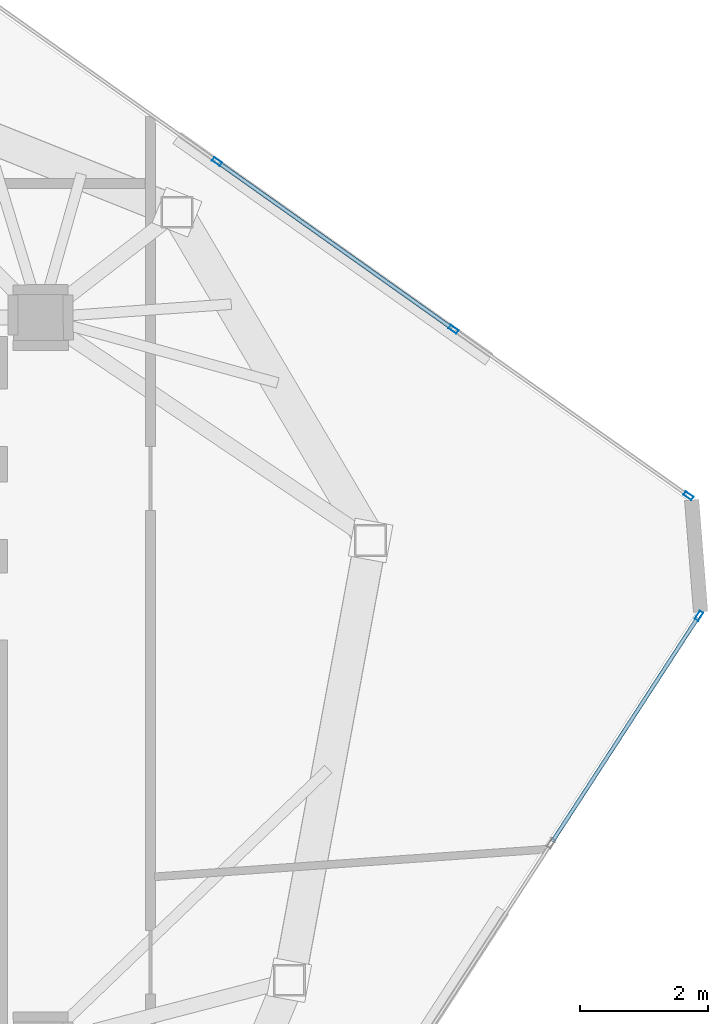
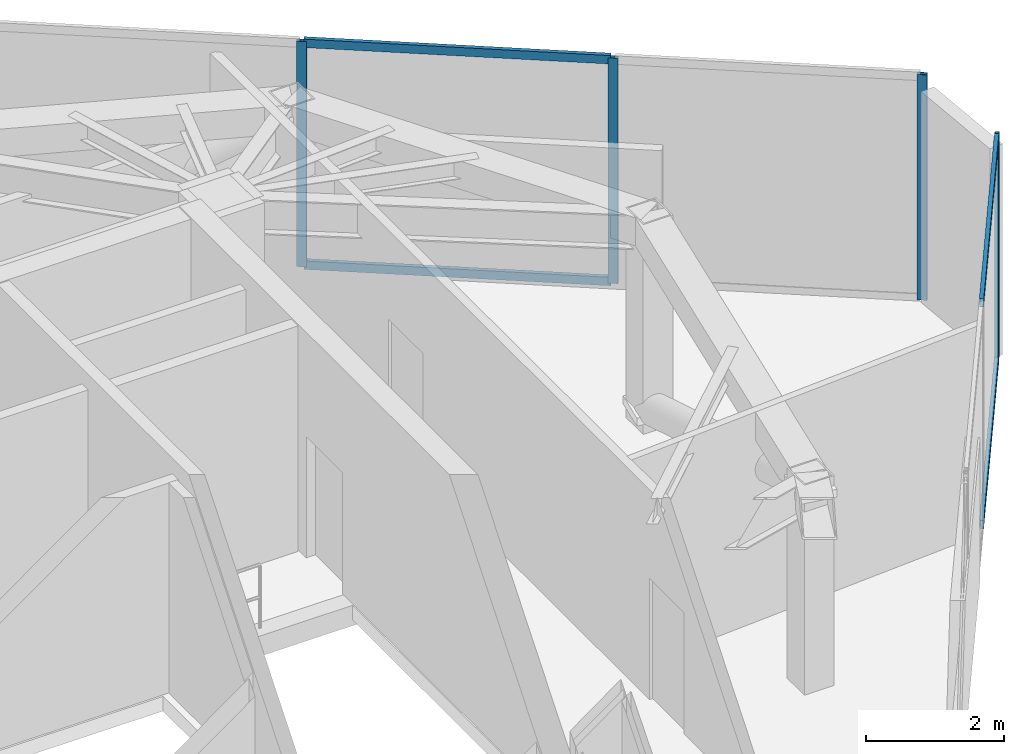
# One storey, part 16 of 20: 8 members, 2 elements without a shape of their own.
"""IFC4 building model written with IfcOpenShell, lengths in metres."""

from ifc_helpers import new_model, si_unit, direction, frame, origin, origin_2d, place, context, subcontext, project, spatial, hollow_rectangle, extrude, source, transform, mapped, material, layer, layer_set, material_profile, profile_set, type_object, type_shapes, element, aggregate, save


model = new_model("IFC4")

# Units and contexts
model_context = context("Model", 3, precision=1e-05, world=origin(), true_north=direction((0.0, 1.0)))
body_context = subcontext(model_context, "Body", "Model", "MODEL_VIEW")
ifc_project = project(units=[si_unit("LENGTHUNIT", "METRE"), si_unit("AREAUNIT", "SQUARE_METRE"), si_unit("VOLUMEUNIT", "CUBIC_METRE"), si_unit("PLANEANGLEUNIT", "RADIAN"), si_unit("MASSUNIT", "GRAM", prefix="KILO")], contexts=[model_context])

# Site, building, storey
site_placement = place(None, origin())
site = spatial("IfcSite", under=ifc_project, at=site_placement, CompositionType="ELEMENT")
building_placement = place(site_placement, origin())
building = spatial("IfcBuilding", under=site, at=building_placement, Name="Talar Marvaseh", CompositionType="ELEMENT")
storey_placement = place(building_placement, frame((0.0, 0.0, 312.0)))
storey = spatial("IfcBuildingStorey", under=building, at=storey_placement, Name="L83", CompositionType="ELEMENT", Elevation=312.0)

# Curtain wall, members
ifc_material = material(Name="Architectural Aluminium", Category="aluminium")
ifc_layer = layer(ifc_material, 0.2099609375)
ifc_layer_set = layer_set([ifc_layer], Name="Architectural Aluminium")
curtain_wall_type = type_object("IfcCurtainWallType", Name="Crown Plant Acoustic Spandrel Curtain Wall", PredefinedType="NOTDEFINED", material=ifc_layer_set)
curtain_wall_1_placement = place(storey_placement, origin())
curtain_wall_1 = element("IfcCurtainWall", 1, at=curtain_wall_1_placement, inside=storey, type_object=curtain_wall_type, Name="L83 Crown Plant Acoustic Spandrel Curtain Wall", PredefinedType="NOTDEFINED")
ifc_material_profile_1 = material_profile(ifc_material, hollow_rectangle(XDim=0.06494140625, YDim=0.14990234375, WallThickness=0.00390625, at=origin_2d()), Name="RHS150x65x4")
ifc_profile_set_1 = profile_set([ifc_material_profile_1], Name="Architectural Aluminium")
member_type_1 = type_object("IfcMemberType", Name="Unitised Curtain Wall Slim Transom RHS150x65x4", PredefinedType="USERDEFINED", material=ifc_profile_set_1)
shared_shape_1 = source(origin(), body_context, "Body", "SweptSolid", [
    extrude(hollow_rectangle(XDim=0.06494140625, YDim=0.14990234375, WallThickness=0.00390625, at=origin_2d()), origin(), (0.0, 0.0, 1.0), 4.47998046875),
])
member_1_placement = place(storey_placement, frame((36.09130859375, 39.32568359375, 0.032470703125), z_axis=(0.815654806613, -0.578538880671, 0.0), x_axis=(0.578538880671, 0.815654806613, 0.0)))
member_1 = element("IfcMember", 2, at=member_1_placement, type_object=member_type_1, Name="CW-CRN transom 2.1", ObjectType="TRANSOM", PredefinedType="USERDEFINED", context=body_context, shape_type="MappedRepresentation", body=[
    mapped(shared_shape_1, transform((0.0, 0.0, 0.0), x_axis=(1.0, 0.0, 0.0), y_axis=(0.0, 1.0, 0.0), z_axis=(0.0, 0.0, 1.0), scale=1.0)),
])
member_2_placement = place(storey_placement, frame((36.09130859375, 39.32568359375, 3.967529296875), z_axis=(0.815654806613, -0.578538880671, 0.0), x_axis=(0.578538880671, 0.815654806613, 0.0)))
member_2 = element("IfcMember", 3, at=member_2_placement, type_object=member_type_1, Name="CW-CRN transom 2.2", ObjectType="TRANSOM", PredefinedType="USERDEFINED", context=body_context, shape_type="MappedRepresentation", body=[
    mapped(shared_shape_1, transform((0.0, 0.0, 0.0), x_axis=(1.0, 0.0, 0.0), y_axis=(0.0, 1.0, 0.0), z_axis=(0.0, 0.0, 1.0), scale=1.0)),
])

curtain_wall_2_placement = place(storey_placement, origin())
curtain_wall_2 = element("IfcCurtainWall", 4, at=curtain_wall_2_placement, inside=storey, type_object=curtain_wall_type, Name="L83 Crown Plant Acoustic Spandrel Curtain Wall", PredefinedType="NOTDEFINED")
shared_shape_2 = source(origin(), body_context, "Body", "SweptSolid", [
    extrude(hollow_rectangle(XDim=0.06494140625, YDim=0.14990234375, WallThickness=0.00390625, at=origin_2d()), origin(), (0.0, 0.0, 1.0), 4.18896484375),
])
type_shapes(member_type_1, [shared_shape_1, shared_shape_2])
member_3_placement = place(storey_placement, frame((43.599609375, 32.197509765625, 0.032470703125), z_axis=(-0.5447752758, -0.838582076411, 0.0), x_axis=(0.838582076411, -0.5447752758, 0.0)))
member_3 = element("IfcMember", 5, at=member_3_placement, type_object=member_type_1, Name="CW-CRN transom 1.1", ObjectType="TRANSOM", PredefinedType="USERDEFINED", context=body_context, shape_type="MappedRepresentation", body=[
    mapped(shared_shape_2, transform((0.0, 0.0, 0.0), x_axis=(1.0, 0.0, 0.0), y_axis=(0.0, 1.0, 0.0), z_axis=(0.0, 0.0, 1.0), scale=1.0)),
])
member_4_placement = place(storey_placement, frame((43.599609375, 32.197509765625, 3.967529296875), z_axis=(-0.5447752758, -0.838582076411, 0.0), x_axis=(0.838582076411, -0.5447752758, 0.0)))
member_4 = element("IfcMember", 6, at=member_4_placement, type_object=member_type_1, Name="CW-CRN transom 1.2", ObjectType="TRANSOM", PredefinedType="USERDEFINED", context=body_context, shape_type="MappedRepresentation", body=[
    mapped(shared_shape_2, transform((0.0, 0.0, 0.0), x_axis=(1.0, 0.0, 0.0), y_axis=(0.0, 1.0, 0.0), z_axis=(0.0, 0.0, 1.0), scale=1.0)),
])

# Member
ifc_material_profile_2 = material_profile(ifc_material, hollow_rectangle(XDim=0.06494140625, YDim=0.14990234375, WallThickness=0.00390625, at=origin_2d()), Name="RHS150x65x4")
ifc_profile_set_2 = profile_set([ifc_material_profile_2], Name="Architectural Aluminium")
member_type_2 = type_object("IfcMemberType", Name="Unitised Curtain Wall Slim Mullion RHS150x65x4", PredefinedType="MULLION", material=ifc_profile_set_2)
shared_shape_3 = source(origin(), body_context, "Body", "SweptSolid", [
    extrude(hollow_rectangle(XDim=0.06494140625, YDim=0.14990234375, WallThickness=0.00390625, at=origin_2d()), origin(), (0.0, 0.0, 1.0), 4.0),
])
type_shapes(member_type_2, [shared_shape_3])
member_5_placement = place(storey_placement, frame((36.06494140625, 39.344482421875, 0.0), z_axis=(0.0, 0.0, 1.0), x_axis=(0.578512539176, 0.815673489833, 0.0)))
member_5 = element("IfcMember", 7, at=member_5_placement, type_object=member_type_2, Name="CW-CRN mullion 2", PredefinedType="MULLION", context=body_context, shape_type="MappedRepresentation", body=[
    mapped(shared_shape_3, transform((0.0, 0.0, 0.0), x_axis=(1.0, 0.0, 0.0), y_axis=(0.0, 1.0, 0.0), z_axis=(0.0, 0.0, 1.0), scale=1.0)),
])

member_6_placement = place(storey_placement, frame((39.77197265625, 36.715087890625, 0.0), z_axis=(0.0, 0.0, 1.0), x_axis=(0.578512539176, 0.815673489833, 0.0)))
member_6 = element("IfcMember", 8, at=member_6_placement, type_object=member_type_2, Name="CW-CRN mullion 3", PredefinedType="MULLION", context=body_context, shape_type="MappedRepresentation", body=[
    mapped(shared_shape_3, transform((0.0, 0.0, 0.0), x_axis=(1.0, 0.0, 0.0), y_axis=(0.0, 1.0, 0.0), z_axis=(0.0, 0.0, 1.0), scale=1.0)),
])

member_7_placement = place(storey_placement, frame((43.45263671875, 34.104736328125, 0.0), z_axis=(0.0, 0.0, 1.0), x_axis=(0.578512539176, 0.815673489833, 0.0)))
member_7 = element("IfcMember", 9, at=member_7_placement, type_object=member_type_2, Name="CW-CRN mullion 4", PredefinedType="MULLION", context=body_context, shape_type="MappedRepresentation", body=[
    mapped(shared_shape_3, transform((0.0, 0.0, 0.0), x_axis=(1.0, 0.0, 0.0), y_axis=(0.0, 1.0, 0.0), z_axis=(0.0, 0.0, 1.0), scale=1.0)),
])

aggregate(curtain_wall_1, [member_5, member_6, member_7, member_1, member_2])

member_8_placement = place(storey_placement, frame((43.6171875, 32.224609375, 0.0), z_axis=(0.0, 0.0, 1.0), x_axis=(0.838585906919, -0.544769379387, 0.0)))
member_8 = element("IfcMember", 10, at=member_8_placement, type_object=member_type_2, Name="CW-CRN mullion 1", PredefinedType="MULLION", context=body_context, shape_type="MappedRepresentation", body=[
    mapped(shared_shape_3, transform((0.0, 0.0, 0.0), x_axis=(1.0, 0.0, 0.0), y_axis=(0.0, 1.0, 0.0), z_axis=(0.0, 0.0, 1.0), scale=1.0)),
])

aggregate(curtain_wall_2, [member_8, member_3, member_4])

save(model, "model.ifc")
